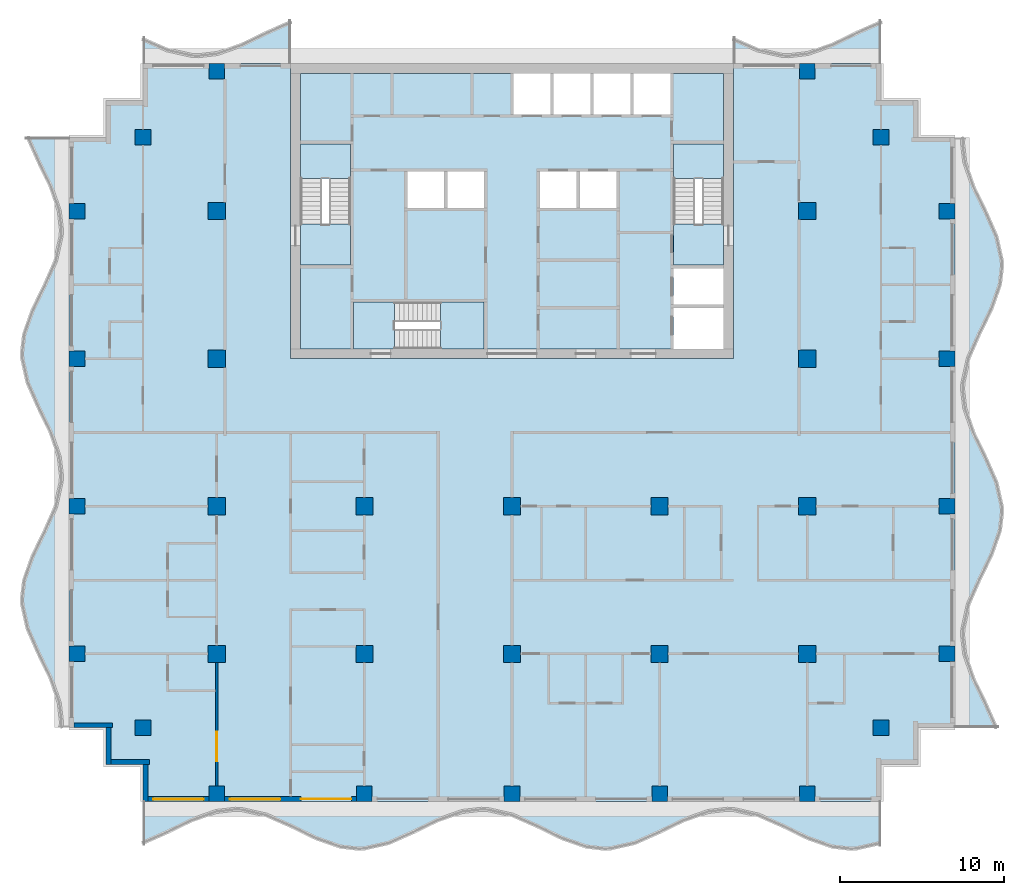
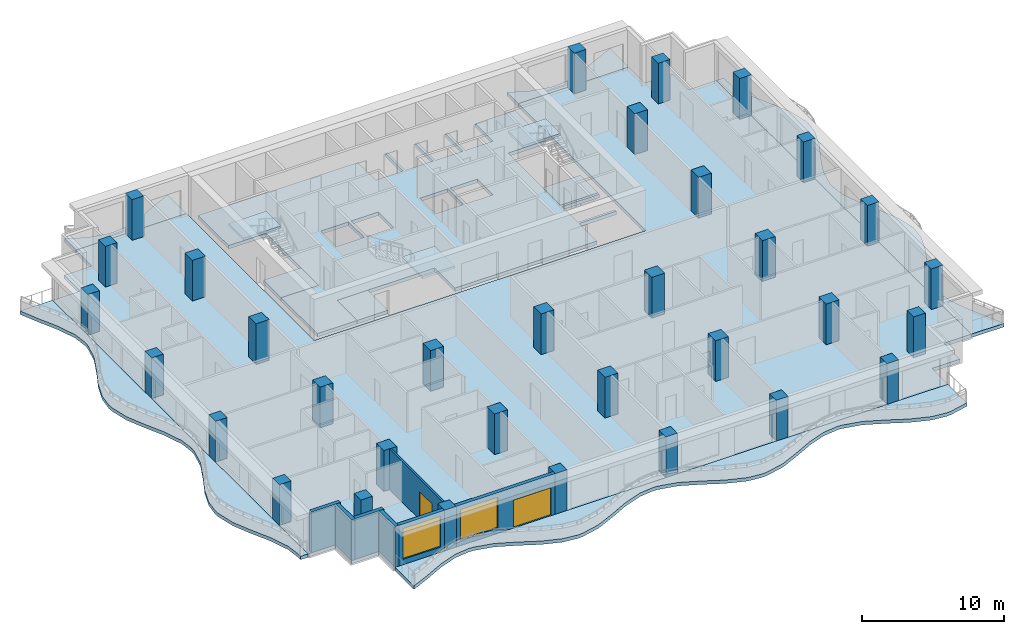
# One storey, part 1 of 11: 33 columns, 13 slabs, 7 walls, 2 doors, 2 windows, 4 openings, 3 elements without a shape of their own.
"""IFC4 building model written with IfcOpenShell, lengths in metres."""

from ifc_helpers import new_model, si_unit, direction, frame, frame_2d, origin, origin_2d, place, context, subcontext, project, spatial, polyline, rectangle, outline, extrude, material, layer, layer_set, material_profile, profile_set, type_object, element, fill, aggregate, save


model = new_model("IFC4")

# Units and contexts
model_context = context("Model", 3, precision=1e-05, world=origin(), true_north=direction((0.0, 1.0)))
body_context = subcontext(model_context, "Body", "Model", "MODEL_VIEW")
ifc_project = project(units=[si_unit("LENGTHUNIT", "METRE"), si_unit("AREAUNIT", "SQUARE_METRE"), si_unit("VOLUMEUNIT", "CUBIC_METRE"), si_unit("PLANEANGLEUNIT", "RADIAN"), si_unit("MASSUNIT", "GRAM", prefix="KILO")], contexts=[model_context])

# Site, building, storey
site_placement = place(None, origin())
site = spatial("IfcSite", under=ifc_project, at=site_placement, CompositionType="ELEMENT")
building_placement = place(site_placement, origin())
building = spatial("IfcBuilding", under=site, at=building_placement, Name="Orbiselva Terraces", CompositionType="ELEMENT")
storey_placement = place(building_placement, frame((0.0, 0.0, 222.4)))
storey = spatial("IfcBuildingStorey", under=building, at=storey_placement, Name="L56", CompositionType="ELEMENT", Elevation=222.4)

# Columns
ifc_material_1 = material(Name="Concrete C50/60", Category="concrete")
ifc_material_profile_1 = material_profile(ifc_material_1, rectangle(XDim=1.05, YDim=1.05, at=origin_2d()), Name="RC 1050x1050")
ifc_profile_set_1 = profile_set([ifc_material_profile_1], Name="Concrete C50/60")
column_type_1 = type_object("IfcColumnType", Name="COLUMN RC 1050x1050", PredefinedType="COLUMN", material=ifc_profile_set_1)
for number, where, z_axis, x_axis, name in (
    (1, (-18.0, -13.5, 0.0), (0.0, 0.0, 1.0), (1.0, 0.0, 0.0), "Column L56-01"),
    (2, (-18.0, -4.5, 0.0), (0.0, 0.0, 1.0), (1.0, 0.0, 0.0), "Column L56-03"),
    (3, (-18.0, 13.5, 0.0), (0.0, 0.0, 1.0), (1.0, 0.0, 0.0), "Column L56-04"),
    (4, (-18.0, 4.5, 0.0), (0.0, 0.0, 1.0), (1.0, 0.0, 0.0), "Column L56-06"),
    (5, (-9.0, -13.5, 0.0), (0.0, 0.0, 1.0), (1.0, 0.0, 0.0), "Column L56-13"),
    (6, (-9.0, -4.5, 0.0), (0.0, 0.0, 1.0), (1.0, 0.0, 0.0), "Column L56-15"),
    (7, (0.0, -13.5, 0.0), (0.0, 0.0, 1.0), (1.0, 0.0, 0.0), "Column L56-16"),
    (8, (0.0, -4.5, 0.0), (0.0, 0.0, 1.0), (1.0, 0.0, 0.0), "Column L56-18"),
    (9, (18.0, -13.5, 0.0), (0.0, 0.0, 1.0), (1.0, 0.0, 0.0), "Column L56-19"),
    (10, (18.0, -4.5, 0.0), (0.0, 0.0, 1.0), (1.0, 0.0, 0.0), "Column L56-21"),
    (11, (18.0, 13.5, 0.0), (0.0, 0.0, 1.0), (1.0, 0.0, 0.0), "Column L56-22"),
    (12, (18.0, 4.5, 0.0), (0.0, 0.0, 1.0), (1.0, 0.0, 0.0), "Column L56-24"),
    (13, (9.0, -13.5, 0.0), (0.0, 0.0, 1.0), (1.0, 0.0, 0.0), "Column L56-31"),
    (14, (9.0, -4.5, 0.0), (0.0, 0.0, 1.0), (1.0, 0.0, 0.0), "Column L56-33"),
):
    element("IfcColumn", number, at=place(storey_placement, frame(where, z_axis=z_axis, x_axis=x_axis)), inside=storey, type_object=column_type_1, Name=name, PredefinedType="COLUMN", context=body_context, shape_type="SweptSolid", body=[
        extrude(rectangle(XDim=1.05, YDim=1.05, at=origin_2d()), origin(), (0.0, 0.0, 1.0), 3.5),
    ])
ifc_material_profile_2 = material_profile(ifc_material_1, rectangle(XDim=0.95, YDim=0.95, at=origin_2d()), Name="RC 950x950")
ifc_profile_set_2 = profile_set([ifc_material_profile_2], Name="Concrete C50/60")
column_type_2 = type_object("IfcColumnType", Name="PERIMETER COLUMN RC 950x950", PredefinedType="COLUMN", material=ifc_profile_set_2)
for number, where, z_axis, x_axis, name in (
    (15, (-18.0, -22.025, 0.0), (0.0, 0.0, 1.0), (1.0, 0.0, 0.0), "Column L56-02"),
    (16, (-18.0, 22.025, 0.0), (0.0, 0.0, 1.0), (1.0, 0.0, 0.0), "Column L56-05"),
    (17, (-26.525, -13.5, 0.0), (0.0, 0.0, 1.0), (1.0, 0.0, 0.0), "Column L56-07"),
    (18, (-22.5, -18.0, 0.0), (0.0, 0.0, 1.0), (1.0, 0.0, 0.0), "Column L56-08"),
    (19, (-26.525, -4.5, 0.0), (0.0, 0.0, 1.0), (1.0, 0.0, 0.0), "Column L56-09"),
    (20, (-26.525, 13.5, 0.0), (0.0, 0.0, 1.0), (1.0, 0.0, 0.0), "Column L56-10"),
    (21, (-22.5, 18.0, 0.0), (0.0, 0.0, 1.0), (1.0, 0.0, 0.0), "Column L56-11"),
    (22, (-26.525, 4.5, 0.0), (0.0, 0.0, 1.0), (1.0, 0.0, 0.0), "Column L56-12"),
    (23, (-9.0, -22.025, 0.0), (0.0, 0.0, 1.0), (1.0, 0.0, 0.0), "Column L56-14"),
    (24, (0.0, -22.025, 0.0), (0.0, 0.0, 1.0), (1.0, 0.0, 0.0), "Column L56-17"),
    (25, (18.0, -22.025, 0.0), (0.0, 0.0, 1.0), (1.0, 0.0, 0.0), "Column L56-20"),
    (26, (18.0, 22.025, 0.0), (0.0, 0.0, 1.0), (1.0, 0.0, 0.0), "Column L56-23"),
    (27, (26.525, -13.5, 0.0), (0.0, 0.0, 1.0), (1.0, 0.0, 0.0), "Column L56-25"),
    (28, (22.5, -18.0, 0.0), (0.0, 0.0, 1.0), (1.0, 0.0, 0.0), "Column L56-26"),
    (29, (26.525, -4.5, 0.0), (0.0, 0.0, 1.0), (1.0, 0.0, 0.0), "Column L56-27"),
    (30, (26.525, 13.5, 0.0), (0.0, 0.0, 1.0), (1.0, 0.0, 0.0), "Column L56-28"),
    (31, (22.5, 18.0, 0.0), (0.0, 0.0, 1.0), (1.0, 0.0, 0.0), "Column L56-29"),
    (32, (26.525, 4.5, 0.0), (0.0, 0.0, 1.0), (1.0, 0.0, 0.0), "Column L56-30"),
    (33, (9.0, -22.025, 0.0), (0.0, 0.0, 1.0), (1.0, 0.0, 0.0), "Column L56-32"),
):
    element("IfcColumn", number, at=place(storey_placement, frame(where, z_axis=z_axis, x_axis=x_axis)), inside=storey, type_object=column_type_2, Name=name, PredefinedType="COLUMN", context=body_context, shape_type="SweptSolid", body=[
        extrude(rectangle(XDim=0.95, YDim=0.95, at=origin_2d()), origin(), (0.0, 0.0, 1.0), 3.5),
    ])

# Slabs
ifc_material_2 = material(Name="Concrete C40/50", Category="concrete")
ifc_layer_1 = layer(ifc_material_2, 0.3)
ifc_layer_set_1 = layer_set([ifc_layer_1], Name="Concrete C40/50")
slab_type_1 = type_object("IfcSlabType", Name="CORE-SLAB-FLOOR-300", PredefinedType="FLOOR", material=ifc_layer_set_1)
slab_1_placement = place(storey_placement, frame((0.0, 0.0, -0.3)))
element("IfcSlab", 34, at=slab_1_placement, inside=storey, type_object=slab_type_1, Name="L56 S1 floor landing", PredefinedType="FLOOR", context=body_context, shape_type="SweptSolid", body=[
    extrude(outline(polyline([(-12.9, 12.7), (-9.85, 12.7), (-9.85, 10.2), (-12.9, 10.2), (-12.9, 12.7)])), origin(), (0.0, 0.0, 1.0), 0.3),
])
slab_2_placement = place(storey_placement, frame((0.0, 0.0, -0.3)))
element("IfcSlab", 35, at=slab_2_placement, inside=storey, type_object=slab_type_1, Name="L56 S2 floor landing", PredefinedType="FLOOR", context=body_context, shape_type="SweptSolid", body=[
    extrude(outline(polyline([(12.9, 12.7), (12.9, 10.2), (9.85, 10.2), (9.85, 12.7), (12.9, 12.7)])), origin(), (0.0, 0.0, 1.0), 0.3),
])
slab_3_placement = place(storey_placement, frame((0.0, 0.0, -0.3)))
element("IfcSlab", 36, at=slab_3_placement, inside=storey, type_object=slab_type_1, Name="L56 S3 floor landing", PredefinedType="FLOOR", context=body_context, shape_type="SweptSolid", body=[
    extrude(outline(polyline([(-7.15, 5.1), (-9.65, 5.1), (-9.65, 7.95), (-7.15, 7.95), (-7.15, 5.1)])), origin(), (0.0, 0.0, 1.0), 0.3),
])
slab_4_placement = place(storey_placement, frame((0.0, 0.0, -0.3)))
element("IfcSlab", 37, at=slab_4_placement, inside=storey, type_object=slab_type_1, Name="L56 core floor slab 1", PredefinedType="FLOOR", context=body_context, shape_type="SweptSolid", body=[
    extrude(outline(polyline([(-1.7, 5.1), (-1.7, 7.95), (-9.65, 7.95), (-9.65, 5.1), (-12.9, 5.1), (-12.9, 10.2), (-9.85, 10.2), (-9.85, 17.6), (-12.9, 17.6), (-12.9, 21.9), (0.1, 21.9), (0.1, 19.4), (2.3375, 19.4), (2.3375, 21.9), (2.5375, 21.9), (2.5375, 19.4), (4.775, 19.4), (4.775, 21.9), (4.975, 21.9), (4.975, 19.4), (7.2125, 19.4), (7.2125, 21.9), (7.4125, 21.9), (7.4125, 19.4), (9.65, 19.4), (9.65, 21.9), (12.9, 21.9), (12.9, 17.6), (9.85, 17.6), (9.85, 10.2), (12.9, 10.2), (12.9, 10.0), (9.85, 10.0), (9.85, 7.8), (12.9, 7.8), (12.9, 7.6), (9.85, 7.6), (9.85, 5.1), (-1.7, 5.1)]), holes=[polyline([(-4.1375, 13.7), (-4.1375, 15.9), (-6.375, 15.9), (-6.375, 13.7), (-4.1375, 13.7)]), polyline([(-1.7, 13.7), (-1.7, 15.9), (-3.9375, 15.9), (-3.9375, 13.7), (-1.7, 13.7)]), polyline([(3.9375, 15.9), (1.7, 15.9), (1.7, 13.7), (3.9375, 13.7), (3.9375, 15.9)]), polyline([(6.375, 13.7), (6.375, 15.9), (4.1375, 15.9), (4.1375, 13.7), (6.375, 13.7)])]), origin(), (0.0, 0.0, 1.0), 0.3),
])

# Stair, slab
stair_type_1 = type_object("IfcStairType", Name="CORE-STAIR-1300", PredefinedType="HALF_TURN_STAIR", material=ifc_material_2)
stair_1_placement = place(storey_placement, origin())
stair_1 = element("IfcStair", 38, at=stair_1_placement, inside=storey, type_object=stair_type_1, Name="L56 Exit Stair S1", PredefinedType="HALF_TURN_STAIR")
ifc_layer_2 = layer(ifc_material_2, 0.2)
ifc_layer_set_2 = layer_set([ifc_layer_2], Name="Concrete C40/50")
slab_type_2 = type_object("IfcSlabType", Name="CORE-STAIR-LANDING-200", PredefinedType="LANDING", material=ifc_layer_set_2)
slab_5_placement = place(storey_placement, frame((0.0, 0.0, 1.7)))
slab_5 = element("IfcSlab", 39, at=slab_5_placement, type_object=slab_type_2, Name="S1 landing 1", PredefinedType="LANDING", context=body_context, shape_type="SweptSolid", body=[
    extrude(outline(polyline([(-9.85, 15.5), (-9.85, 17.6), (-12.9, 17.6), (-12.9, 15.5), (-9.85, 15.5)])), origin(), (0.0, 0.0, 1.0), 0.2),
])
aggregate(stair_1, [slab_5])

stair_2_placement = place(storey_placement, origin())
stair_2 = element("IfcStair", 40, at=stair_2_placement, inside=storey, type_object=stair_type_1, Name="L56 Exit Stair S2", PredefinedType="HALF_TURN_STAIR")
slab_6_placement = place(storey_placement, frame((0.0, 0.0, 1.7)))
slab_6 = element("IfcSlab", 41, at=slab_6_placement, type_object=slab_type_2, Name="S2 landing 1", PredefinedType="LANDING", context=body_context, shape_type="SweptSolid", body=[
    extrude(outline(polyline([(12.9, 15.5), (12.9, 17.6), (9.85, 17.6), (9.85, 15.5), (12.9, 15.5)])), origin(), (0.0, 0.0, 1.0), 0.2),
])
aggregate(stair_2, [slab_6])

stair_type_2 = type_object("IfcStairType", Name="CORE-STAIR-1200", PredefinedType="HALF_TURN_STAIR", material=ifc_material_2)
stair_3_placement = place(storey_placement, origin())
stair_3 = element("IfcStair", 42, at=stair_3_placement, inside=storey, type_object=stair_type_2, Name="L56 Exit Stair S3", PredefinedType="HALF_TURN_STAIR")
slab_7_placement = place(storey_placement, frame((0.0, 0.0, 1.7)))
slab_7 = element("IfcSlab", 43, at=slab_7_placement, type_object=slab_type_2, Name="S3 landing 1", PredefinedType="LANDING", context=body_context, shape_type="SweptSolid", body=[
    extrude(outline(polyline([(-4.35, 5.1), (-1.7, 5.1), (-1.7, 7.95), (-4.35, 7.95), (-4.35, 5.1)])), origin(), (0.0, 0.0, 1.0), 0.2),
])
aggregate(stair_3, [slab_7])

# Slabs
ifc_layer_3 = layer(ifc_material_1, 0.3)
ifc_layer_set_3 = layer_set([ifc_layer_3], Name="Concrete C50/60")
slab_type_3 = type_object("IfcSlabType", Name="ENV-BALCONY-SLAB-300", PredefinedType="FLOOR", material=ifc_layer_set_3)
slab_8_placement = place(storey_placement, frame((0.0, 0.0, -0.3)))
element("IfcSlab", 44, at=slab_8_placement, inside=storey, type_object=slab_type_3, Name="Balcony slab L56 S", PredefinedType="FLOOR", context=body_context, shape_type="SweptSolid", body=[
    extrude(outline(polyline([(-22.5, -25.148528), (-21.0, -24.487721), (-19.5, -23.755211), (-18.0, -23.230792), (-16.875, -23.1), (-16.5, -23.114774), (-15.0, -23.451472), (-13.5, -24.112279), (-12.0, -24.844789), (-10.5, -25.369208), (-9.375, -25.5), (-9.0, -25.485226), (-7.5, -25.148528), (-6.0, -24.487721), (-4.5, -23.755211), (-3.0, -23.230792), (-1.875, -23.1), (-1.5, -23.114774), (0.0, -23.451472), (1.5, -24.112279), (3.0, -24.844789), (4.5, -25.369208), (5.625, -25.5), (6.0, -25.485226), (7.5, -25.148528), (9.0, -24.487721), (10.5, -23.755211), (12.0, -23.230792), (13.125, -23.1), (13.5, -23.114774), (15.0, -23.451472), (16.5, -24.112279), (18.0, -24.844789), (19.5, -25.369208), (20.625, -25.5), (21.0, -25.485226), (22.5, -25.148528), (22.5, -22.5), (-22.5, -22.5), (-22.5, -25.148528)])), origin(), (0.0, 0.0, 1.0), 0.3),
])
slab_9_placement = place(storey_placement, frame((0.0, 0.0, -0.3)))
element("IfcSlab", 45, at=slab_9_placement, inside=storey, type_object=slab_type_3, Name="Balcony slab L56 E", PredefinedType="FLOOR", context=body_context, shape_type="SweptSolid", body=[
    extrude(outline(polyline([(29.648528, -18.0), (28.987721, -16.5), (28.255211, -15.0), (27.730792, -13.5), (27.6, -12.375), (27.614774, -12.0), (27.951472, -10.5), (28.612279, -9.0), (29.344789, -7.5), (29.869208, -6.0), (30.0, -4.875), (29.985226, -4.5), (29.648528, -3.0), (28.987721, -1.5), (28.255211, 0.0), (27.730792, 1.5), (27.6, 2.625), (27.614774, 3.0), (27.951472, 4.5), (28.612279, 6.0), (29.344789, 7.5), (29.869208, 9.0), (30.0, 10.125), (29.985226, 10.5), (29.648528, 12.0), (28.987721, 13.5), (28.255211, 15.0), (27.730792, 16.5), (27.6, 17.625), (27.614774, 18.0), (27.0, 18.0), (27.0, -18.0), (29.648528, -18.0)])), origin(), (0.0, 0.0, 1.0), 0.3),
])
slab_10_placement = place(storey_placement, frame((0.0, 0.0, -0.3)))
element("IfcSlab", 46, at=slab_10_placement, inside=storey, type_object=slab_type_3, Name="Balcony slab L56 NE", PredefinedType="FLOOR", context=body_context, shape_type="SweptSolid", body=[
    extrude(outline(polyline([(22.5, 25.148528), (21.0, 24.487721), (19.5, 23.755211), (18.0, 23.230792), (16.875, 23.1), (16.5, 23.114774), (15.0, 23.451472), (13.5, 24.112279), (13.5, 22.5), (22.5, 22.5), (22.5, 25.148528)])), origin(), (0.0, 0.0, 1.0), 0.3),
])
slab_11_placement = place(storey_placement, frame((0.0, 0.0, -0.3)))
element("IfcSlab", 47, at=slab_11_placement, inside=storey, type_object=slab_type_3, Name="Balcony slab L56 NW", PredefinedType="FLOOR", context=body_context, shape_type="SweptSolid", body=[
    extrude(outline(polyline([(-13.5, 25.148528), (-15.0, 24.487721), (-16.5, 23.755211), (-18.0, 23.230792), (-19.125, 23.1), (-19.5, 23.114774), (-21.0, 23.451472), (-22.5, 24.112279), (-22.5, 22.5), (-13.5, 22.5), (-13.5, 25.148528)])), origin(), (0.0, 0.0, 1.0), 0.3),
])
slab_12_placement = place(storey_placement, frame((0.0, 0.0, -0.3)))
element("IfcSlab", 48, at=slab_12_placement, inside=storey, type_object=slab_type_3, Name="Balcony slab L56 W", PredefinedType="FLOOR", context=body_context, shape_type="SweptSolid", body=[
    extrude(outline(polyline([(-29.648528, 18.0), (-28.987721, 16.5), (-28.255211, 15.0), (-27.730792, 13.5), (-27.6, 12.375), (-27.614774, 12.0), (-27.951472, 10.5), (-28.612279, 9.0), (-29.344789, 7.5), (-29.869208, 6.0), (-30.0, 4.875), (-29.985226, 4.5), (-29.648528, 3.0), (-28.987721, 1.5), (-28.255211, 0.0), (-27.730792, -1.5), (-27.6, -2.625), (-27.614774, -3.0), (-27.951472, -4.5), (-28.612279, -6.0), (-29.344789, -7.5), (-29.869208, -9.0), (-30.0, -10.125), (-29.985226, -10.5), (-29.648528, -12.0), (-28.987721, -13.5), (-28.255211, -15.0), (-27.730792, -16.5), (-27.6, -17.625), (-27.614774, -18.0), (-27.0, -18.0), (-27.0, 18.0), (-29.648528, 18.0)])), origin(), (0.0, 0.0, 1.0), 0.3),
])
ifc_layer_4 = layer(ifc_material_1, 0.3)
ifc_layer_set_4 = layer_set([ifc_layer_4], Name="Concrete C50/60")
slab_type_4 = type_object("IfcSlabType", Name="FLOOR SLAB 300", PredefinedType="FLOOR", material=ifc_layer_set_4)
slab_13_placement = place(storey_placement, frame((0.0, 0.0, -0.3)))
element("IfcSlab", 49, at=slab_13_placement, inside=storey, type_object=slab_type_4, Name="Floor slab L56", PredefinedType="FLOOR", context=body_context, shape_type="SweptSolid", body=[
    extrude(outline(polyline([(22.5, 22.5), (22.5, 20.25), (24.75, 20.25), (24.75, 18.0), (27.0, 18.0), (27.0, -18.0), (24.75, -18.0), (24.75, -20.25), (22.5, -20.25), (22.5, -22.5), (-22.5, -22.5), (-22.5, -20.25), (-24.75, -20.25), (-24.75, -18.0), (-27.0, -18.0), (-27.0, 18.0), (-24.75, 18.0), (-24.75, 20.25), (-22.5, 20.25), (-22.5, 22.5), (-13.5, 22.5), (-13.5, 4.5), (13.5, 4.5), (13.5, 22.5), (22.5, 22.5)])), origin(), (0.0, 0.0, 1.0), 0.3),
])

# Wall, opening, window
ifc_material_3 = material(Name="Terracotta cladding on masonry backing", Category="masonry")
ifc_layer_5 = layer(ifc_material_3, 0.3)
ifc_layer_set_5 = layer_set([ifc_layer_5], Name="Terracotta cladding on masonry backing")
wall_type_1 = type_object("IfcWallType", Name="ENV-WALL-TERRACOTTA-300", PredefinedType="SOLIDWALL", material=ifc_layer_set_5)
wall_1_placement = place(storey_placement, frame((-18.475, -22.35, 0.0), z_axis=(0.0, 0.0, 1.0), x_axis=(-1.0, 0.0, 0.0)))
wall_1 = element("IfcWall", 50, at=wall_1_placement, inside=storey, type_object=wall_type_1, Name="Facade wall L56 S", PredefinedType="SOLIDWALL", context=body_context, shape_type="SweptSolid", body=[
    extrude(rectangle(XDim=3.725, YDim=0.3, at=frame_2d((1.8625, 0.0))), origin(), (0.0, 0.0, 1.0), 3.5),
])
opening_1_placement = place(wall_1_placement, frame((0.325, 0.0, 0.45)))
opening_1 = element("IfcOpeningElement", 51, at=opening_1_placement, cuts=wall_1, Name="Opening WN15", PredefinedType="OPENING", context=body_context, shape_type="SweptSolid", body=[
    extrude(rectangle(XDim=3.075, YDim=2.65, at=frame_2d((1.5375, 1.325))), frame((0.0, 0.16, 0.0), z_axis=(0.0, -1.0, 0.0), x_axis=(1.0, 0.0, 0.0)), (0.0, 0.0, 1.0), 0.32),
])
ifc_material_4 = material(Name="Clear low-e glazing in aluminium frame", Category="aluminium")
window_type = type_object("IfcWindowType", Name="WINDOW 3075 X 2650 S450", PartitioningType="TRIPLE_PANEL_VERTICAL", PredefinedType="WINDOW", material=ifc_material_4)
window_1_placement = place(opening_1_placement, origin())
window_1 = element("IfcWindow", 52, at=window_1_placement, inside=storey, type_object=window_type, Name="Window L56 S", OverallHeight=2.65, OverallWidth=3.075, PartitioningType="SINGLE_PANEL", PredefinedType="WINDOW", context=body_context, shape_type="SweptSolid", body=[
    extrude(rectangle(XDim=3.075, YDim=2.65, at=frame_2d((1.5375, 1.325))), frame((0.0, 0.03, 0.0), z_axis=(0.0, -1.0, 0.0), x_axis=(1.0, 0.0, 0.0)), (0.0, 0.0, 1.0), 0.06),
])
fill(opening_1, window_1)

# Wall, openings, door, window
wall_2_placement = place(storey_placement, frame((-9.475, -22.35, 0.0), z_axis=(0.0, 0.0, 1.0), x_axis=(-1.0, 0.0, 0.0)))
wall_2 = element("IfcWall", 53, at=wall_2_placement, inside=storey, type_object=wall_type_1, Name="Facade wall L56 S", PredefinedType="SOLIDWALL", context=body_context, shape_type="SweptSolid", body=[
    extrude(rectangle(XDim=8.05, YDim=0.3, at=frame_2d((4.025, 0.0))), origin(), (0.0, 0.0, 1.0), 3.5),
])
opening_2_placement = place(wall_2_placement, frame((4.65, 0.0, 0.45)))
opening_2 = element("IfcOpeningElement", 54, at=opening_2_placement, cuts=wall_2, Name="Opening WN15", PredefinedType="OPENING", context=body_context, shape_type="SweptSolid", body=[
    extrude(rectangle(XDim=3.075, YDim=2.65, at=frame_2d((1.5375, 1.325))), frame((0.0, 0.16, 0.0), z_axis=(0.0, -1.0, 0.0), x_axis=(1.0, 0.0, 0.0)), (0.0, 0.0, 1.0), 0.32),
])
opening_3_placement = place(wall_2_placement, frame((0.325, 0.0, 0.0)))
opening_3 = element("IfcOpeningElement", 55, at=opening_3_placement, cuts=wall_2, Name="Opening Z4-D-E13", PredefinedType="OPENING", context=body_context, shape_type="SweptSolid", body=[
    extrude(rectangle(XDim=3.075, YDim=2.4, at=frame_2d((1.5375, 1.2))), frame((0.0, 0.16, 0.0), z_axis=(0.0, -1.0, 0.0), x_axis=(1.0, 0.0, 0.0)), (0.0, 0.0, 1.0), 0.32),
])
door_type_1 = type_object("IfcDoorType", Name="BALCONY DOOR 3075 X 2400", OperationType="DOUBLE_DOOR_SLIDING", PredefinedType="DOOR", material=ifc_material_4)
door_1_placement = place(opening_3_placement, origin())
door_1 = element("IfcDoor", 56, at=door_1_placement, inside=storey, type_object=door_type_1, Name="Z4-D-E13", OperationType="SINGLE_SWING_LEFT", OverallHeight=2.4, OverallWidth=3.075, PredefinedType="DOOR", context=body_context, shape_type="SweptSolid", body=[
    extrude(rectangle(XDim=3.075, YDim=2.4, at=frame_2d((1.5375, 1.2))), frame((0.0, 0.025, 0.0), z_axis=(0.0, -1.0, 0.0), x_axis=(1.0, 0.0, 0.0)), (0.0, 0.0, 1.0), 0.05),
])
fill(opening_3, door_1)
window_2_placement = place(opening_2_placement, origin())
window_2 = element("IfcWindow", 57, at=window_2_placement, inside=storey, type_object=window_type, Name="Window L56 S", OverallHeight=2.65, OverallWidth=3.075, PartitioningType="SINGLE_PANEL", PredefinedType="WINDOW", context=body_context, shape_type="SweptSolid", body=[
    extrude(rectangle(XDim=3.075, YDim=2.65, at=frame_2d((1.5375, 1.325))), frame((0.0, 0.03, 0.0), z_axis=(0.0, -1.0, 0.0), x_axis=(1.0, 0.0, 0.0)), (0.0, 0.0, 1.0), 0.06),
])
fill(opening_2, window_2)

# Walls
wall_3_placement = place(storey_placement, frame((-24.35, -17.85, 0.0), z_axis=(0.0, 0.0, 1.0), x_axis=(-1.0, 0.0, 0.0)))
element("IfcWall", 58, at=wall_3_placement, inside=storey, type_object=wall_type_1, Name="Facade wall L56 STEP", PredefinedType="SOLIDWALL", context=body_context, shape_type="SweptSolid", body=[
    extrude(rectangle(XDim=2.35, YDim=0.3, at=frame_2d((1.175, 0.0))), origin(), (0.0, 0.0, 1.0), 3.5),
])
wall_4_placement = place(storey_placement, frame((-24.6, -20.25, 0.0), z_axis=(0.0, 0.0, 1.0), x_axis=(0.0, 1.0, 0.0)))
element("IfcWall", 59, at=wall_4_placement, inside=storey, type_object=wall_type_1, Name="Facade wall L56 STEP", PredefinedType="SOLIDWALL", context=body_context, shape_type="SweptSolid", body=[
    extrude(rectangle(XDim=2.25, YDim=0.3, at=frame_2d((1.125, 0.0))), origin(), (0.0, 0.0, 1.0), 3.5),
])
wall_5_placement = place(storey_placement, frame((-22.1, -20.1, 0.0), z_axis=(0.0, 0.0, 1.0), x_axis=(-1.0, 0.0, 0.0)))
element("IfcWall", 60, at=wall_5_placement, inside=storey, type_object=wall_type_1, Name="Facade wall L56 STEP", PredefinedType="SOLIDWALL", context=body_context, shape_type="SweptSolid", body=[
    extrude(rectangle(XDim=2.35, YDim=0.3, at=frame_2d((1.175, 0.0))), origin(), (0.0, 0.0, 1.0), 3.5),
])
wall_6_placement = place(storey_placement, frame((-22.35, -22.5, 0.0), z_axis=(0.0, 0.0, 1.0), x_axis=(0.0, 1.0, 0.0)))
element("IfcWall", 61, at=wall_6_placement, inside=storey, type_object=wall_type_1, Name="Facade wall L56 STEP", PredefinedType="SOLIDWALL", context=body_context, shape_type="SweptSolid", body=[
    extrude(rectangle(XDim=2.25, YDim=0.3, at=frame_2d((1.125, 0.0))), origin(), (0.0, 0.0, 1.0), 3.5),
])

# Wall, opening, door
ifc_material_5 = material(Name="Plasterboard on steel stud partition", Category="steel")
ifc_layer_6 = layer(ifc_material_5, 0.15)
ifc_layer_set_6 = layer_set([ifc_layer_6], Name="Plasterboard on steel stud partition")
wall_type_2 = type_object("IfcWallType", Name="UNIT-PARTITION-150", PredefinedType="PARTITIONING", material=ifc_layer_set_6)
wall_7_placement = place(storey_placement, frame((-18.0, -21.55, 0.0), z_axis=(0.0, 0.0, 1.0), x_axis=(0.0, 1.0, 0.0)))
wall_7 = element("IfcWall", 62, at=wall_7_placement, inside=storey, type_object=wall_type_2, Name="PARTITION L56-047", PredefinedType="PARTITIONING", context=body_context, shape_type="SweptSolid", body=[
    extrude(rectangle(XDim=7.525, YDim=0.15, at=frame_2d((3.7625, 0.0))), origin(), (0.0, 0.0, 1.0), 3.5),
])
opening_4_placement = place(wall_7_placement, frame((1.5, 0.0, 0.0)))
opening_4 = element("IfcOpeningElement", 63, at=opening_4_placement, cuts=wall_7, Name="Opening Z4-D-22", PredefinedType="OPENING", context=body_context, shape_type="SweptSolid", body=[
    extrude(rectangle(XDim=1.8, YDim=2.4, at=frame_2d((0.9, 1.2))), frame((0.0, 0.085, 0.0), z_axis=(0.0, -1.0, 0.0), x_axis=(1.0, 0.0, 0.0)), (0.0, 0.0, 1.0), 0.17),
])
ifc_material_6 = material(Name="Painted timber door leaf", Category="wood")
door_type_2 = type_object("IfcDoorType", Name="DOUBLE DOOR 1800", OperationType="NOTDEFINED", PredefinedType="DOOR", material=ifc_material_6)
door_2_placement = place(opening_4_placement, origin())
door_2 = element("IfcDoor", 64, at=door_2_placement, inside=storey, type_object=door_type_2, Name="Z4-D-22", OperationType="DOUBLE_DOOR_SINGLE_SWING", OverallHeight=2.4, OverallWidth=1.8, PredefinedType="DOOR", context=body_context, shape_type="SweptSolid", body=[
    extrude(rectangle(XDim=1.8, YDim=2.4, at=frame_2d((0.9, 1.2))), frame((0.0, 0.025, 0.0), z_axis=(0.0, -1.0, 0.0), x_axis=(1.0, 0.0, 0.0)), (0.0, 0.0, 1.0), 0.05),
])
fill(opening_4, door_2)

save(model, "model.ifc")
